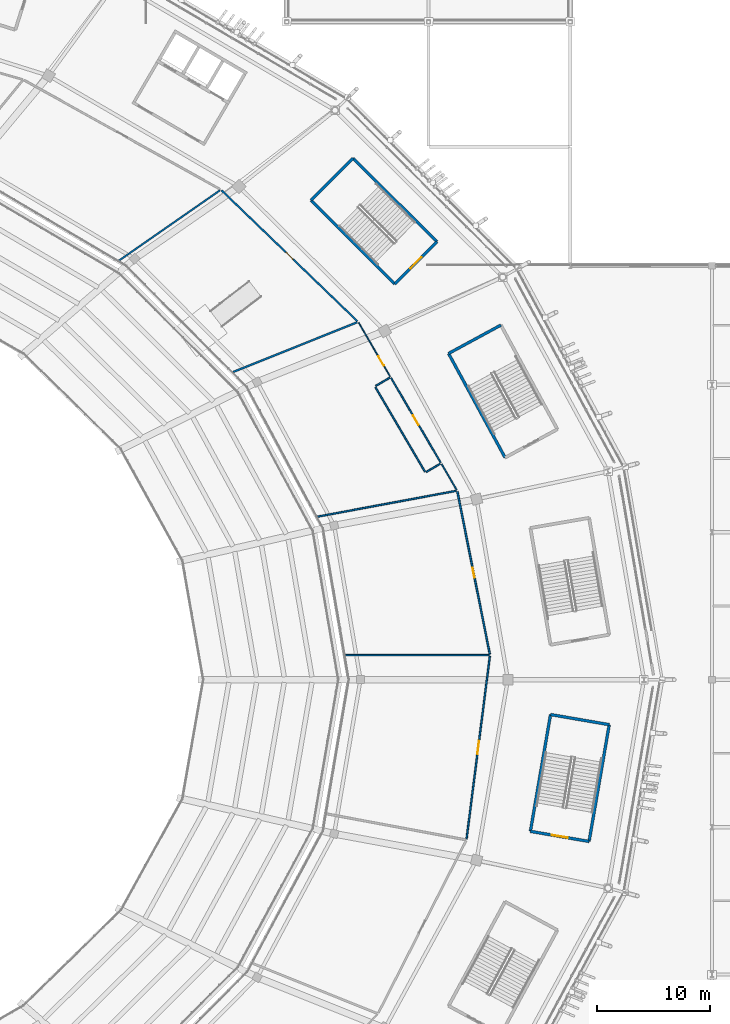
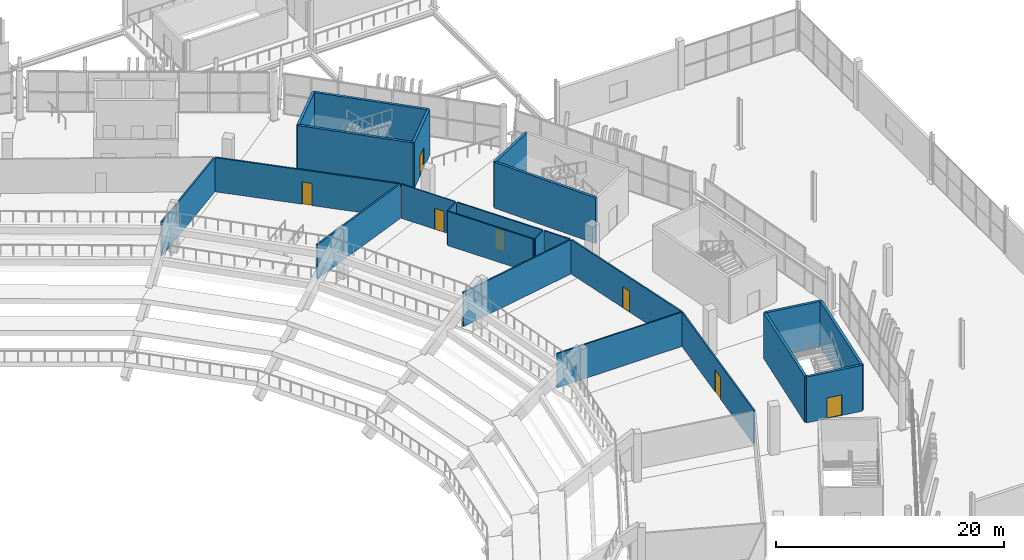
# One storey, part 128 of 178: 23 walls, 7 doors, 7 openings.
"""IFC4 building model written with IfcOpenShell, lengths in metres."""

from ifc_helpers import new_model, si_unit, direction, frame, frame_2d, origin, place, context, subcontext, project, spatial, rectangle, extrude, material, layer, layer_set, type_object, element, fill, save


model = new_model("IFC4")

# Units and contexts
model_context = context("Model", 3, precision=1e-05, world=origin(), true_north=direction((0.0, 1.0)))
body_context = subcontext(model_context, "Body", "Model", "MODEL_VIEW")
ifc_project = project(units=[si_unit("LENGTHUNIT", "METRE"), si_unit("AREAUNIT", "SQUARE_METRE"), si_unit("VOLUMEUNIT", "CUBIC_METRE"), si_unit("PLANEANGLEUNIT", "RADIAN"), si_unit("MASSUNIT", "GRAM", prefix="KILO")], contexts=[model_context])

# Site, building, storey
site_placement = place(None, origin())
site = spatial("IfcSite", under=ifc_project, at=site_placement, CompositionType="ELEMENT")
building_placement = place(site_placement, origin())
building = spatial("IfcBuilding", under=site, at=building_placement, Name="Zlatoyarsky Gate Stadium", CompositionType="ELEMENT")
storey_placement = place(building_placement, frame((0.0, 0.0, 5.39990234375)))
storey = spatial("IfcBuildingStorey", under=building, at=storey_placement, Name="L01", CompositionType="ELEMENT", Elevation=5.39990234375)

# Walls
ifc_material_1 = material(Name="Double-stud acoustic gypsum partition", Category="gypsum")
ifc_layer_1 = layer(ifc_material_1, 0.169921875)
ifc_layer_set_1 = layer_set([ifc_layer_1], Name="Double-stud acoustic gypsum partition")
wall_type_1 = type_object("IfcWallType", Name="ACOUSTIC BROADCAST STUDIO WALL 170", PredefinedType="PARTITIONING", material=ifc_layer_set_1)
wall_1_placement = place(storey_placement, frame((167.779541015625, 107.132080078125, 0.0), z_axis=(0.0, 0.0, 1.0), x_axis=(0.928096054847, 0.372340855907, 0.0)))
element("IfcWall", 1, at=wall_1_placement, inside=storey, type_object=wall_type_1, Name="L01 interior partition PRT-L01-IRD-02", PredefinedType="PARTITIONING", context=body_context, shape_type="SweptSolid", body=[
    extrude(rectangle(XDim=11.781494140625, YDim=0.169921875, at=frame_2d((5.890625, 0.0))), origin(), (0.0, 0.0, 1.0), 3.670166015625),
])
ifc_material_2 = material(Name="Anodised aluminium acoustic operable wall", Category="aluminium")
ifc_layer_2 = layer(ifc_material_2, 0.114990234375)
ifc_layer_set_2 = layer_set([ifc_layer_2], Name="Anodised aluminium acoustic operable wall")
wall_type_2 = type_object("IfcWallType", Name="ACOUSTIC OPERABLE SUITE WALL 115", PredefinedType="MOVABLE", material=ifc_layer_set_2)
wall_2_placement = place(storey_placement, frame((187.486572265625, 96.7412109375, 0.0), z_axis=(0.0, 0.0, 1.0), x_axis=(-0.506281615283, 0.862368207917, 0.0)))
element("IfcWall", 2, at=wall_2_placement, inside=storey, type_object=wall_type_2, Name="L01 interior partition PRT-L01-WCL-01", PredefinedType="MOVABLE", context=body_context, shape_type="SweptSolid", body=[
    extrude(rectangle(XDim=2.630126953125, YDim=0.114990234375, at=frame_2d((1.31494140625, 0.0))), origin(), (0.0, 0.0, 1.0), 3.670166015625),
])
ifc_material_3 = material(Name="Moisture-resistant masonry partition", Category="masonry")
ifc_layer_3 = layer(ifc_material_3, 0.139892578125)
ifc_layer_set_3 = layer_set([ifc_layer_3], Name="Moisture-resistant masonry partition")
wall_type_3 = type_object("IfcWallType", Name="ATHLETE CHANGING BLOCK PARTITION 140", PredefinedType="PARTITIONING", material=ifc_layer_set_3)
wall_3_placement = place(storey_placement, frame((175.236572265625, 94.37841796875, 0.0), z_axis=(0.0, 0.0, 1.0), x_axis=(0.983098219406, 0.183078920141, 0.0)))
element("IfcWall", 3, at=wall_3_placement, inside=storey, type_object=wall_type_3, Name="L01 interior partition PRT-L01-IRD-01", PredefinedType="PARTITIONING", context=body_context, shape_type="SweptSolid", body=[
    extrude(rectangle(XDim=12.419189453125, YDim=0.139892578125, at=frame_2d((6.20947265625, 0.0))), origin(), (0.0, 0.0, 1.0), 3.670166015625),
])

# Wall, opening, door
wall_4_placement = place(storey_placement, frame((188.356689453125, 65.952880859375, 0.0), z_axis=(0.0, 0.0, 1.0), x_axis=(0.126447690865, 0.991973276593, 0.0)))
wall_4 = element("IfcWall", 4, at=wall_4_placement, inside=storey, type_object=wall_type_3, Name="L01 interior partition PRT-L01-ICC-23", PredefinedType="PARTITIONING", context=body_context, shape_type="SweptSolid", body=[
    extrude(rectangle(XDim=16.260986328125, YDim=0.139892578125, at=frame_2d((8.13037109375, 0.0))), origin(), (0.0, 0.0, 1.0), 3.670166015625),
])
opening_1_placement = place(wall_4_placement, frame((7.550537109375, 0.0, 0.0)))
opening_1 = element("IfcOpeningElement", 5, at=opening_1_placement, cuts=wall_4, Name="Opening D-L01-273", PredefinedType="OPENING", context=body_context, shape_type="SweptSolid", body=[
    extrude(rectangle(XDim=1.159912109375, YDim=2.3798828125, at=frame_2d((0.580078125, 1.18994140625))), frame((0.0, 0.079833984375, 0.0), z_axis=(0.0, -1.0, 0.0), x_axis=(1.0, 0.0, 0.0)), (0.0, 0.0, 1.0), 0.159912109375),
])
ifc_material_4 = material(Name="Powder-coated steel fire door", Category="steel")
door_type_1 = type_object("IfcDoorType", Name="ACOUSTIC INTERIOR DOOR 1160X2380", OperationType="NOTDEFINED", PredefinedType="DOOR", material=ifc_material_4)
door_1_placement = place(opening_1_placement, origin())
door_1 = element("IfcDoor", 6, at=door_1_placement, inside=storey, type_object=door_type_1, Name="L01 room door D-L01-273", OperationType="SINGLE_SWING_RIGHT", OverallHeight=2.3798828125, OverallWidth=1.159912109375, PredefinedType="DOOR", context=body_context, shape_type="SweptSolid", body=[
    extrude(rectangle(XDim=1.159912109375, YDim=2.3798828125, at=frame_2d((0.580078125, 1.18994140625))), frame((0.0, 0.02490234375, 0.0), z_axis=(0.0, -1.0, 0.0), x_axis=(1.0, 0.0, 0.0)), (0.0, 0.0, 1.0), 0.050048828125),
])
fill(opening_1, door_1)

ifc_material_5 = material(Name="Metal-stud gypsum partition", Category="gypsum")
ifc_layer_4 = layer(ifc_material_5, 0.14990234375)
ifc_layer_set_4 = layer_set([ifc_layer_4], Name="Metal-stud gypsum partition")
wall_type_4 = type_object("IfcWallType", Name="CONCOURSE CORRIDOR PARTITION 150", PredefinedType="PARTITIONING", material=ifc_layer_set_4)
wall_5_placement = place(storey_placement, frame((190.406982421875, 82.2509765625, 0.0), z_axis=(0.0, 0.0, 1.0), x_axis=(-0.195730656485, 0.980657692629, 0.0)))
wall_5 = element("IfcWall", 7, at=wall_5_placement, inside=storey, type_object=wall_type_4, Name="L01 vomitory portal wall PRT-L01-ICC-00", PredefinedType="PARTITIONING", context=body_context, shape_type="SweptSolid", body=[
    extrude(rectangle(XDim=14.6162109375, YDim=0.14990234375, at=frame_2d((7.30810546875, 0.0))), origin(), (0.0, 0.0, 1.0), 3.670166015625),
])
opening_2_placement = place(wall_5_placement, frame((6.858154296875, 0.0, 0.0)))
opening_2 = element("IfcOpeningElement", 8, at=opening_2_placement, cuts=wall_5, Name="Opening D-L01-212", PredefinedType="OPENING", context=body_context, shape_type="SweptSolid", body=[
    extrude(rectangle(XDim=0.89990234375, YDim=2.239990234375, at=frame_2d((0.449951171875, 1.1201171875))), frame((0.0, 0.0849609375, 0.0), z_axis=(0.0, -1.0, 0.0), x_axis=(1.0, 0.0, 0.0)), (0.0, 0.0, 1.0), 0.169921875),
])
door_type_2 = type_object("IfcDoorType", Name="ACOUSTIC INTERIOR DOOR 900X2240", OperationType="NOTDEFINED", PredefinedType="DOOR", material=ifc_material_4)
door_2_placement = place(opening_2_placement, origin())
door_2 = element("IfcDoor", 9, at=door_2_placement, inside=storey, type_object=door_type_2, Name="L01 vomitory portal door D-L01-212", OperationType="SINGLE_SWING_RIGHT", OverallHeight=2.239990234375, OverallWidth=0.89990234375, PredefinedType="DOOR", context=body_context, shape_type="SweptSolid", body=[
    extrude(rectangle(XDim=0.89990234375, YDim=2.239990234375, at=frame_2d((0.449951171875, 1.1201171875))), frame((0.0, 0.02490234375, 0.0), z_axis=(0.0, -1.0, 0.0), x_axis=(1.0, 0.0, 0.0)), (0.0, 0.0, 1.0), 0.050048828125),
])
fill(opening_2, door_2)

# Wall
wall_6_placement = place(storey_placement, frame((157.699951171875, 116.95361328125, 0.0), z_axis=(0.0, 0.0, 1.0), x_axis=(0.820978910048, 0.570958517982, 0.0)))
element("IfcWall", 10, at=wall_6_placement, inside=storey, type_object=wall_type_4, Name="L01 interior partition PRT-L01-IRD-03", PredefinedType="PARTITIONING", context=body_context, shape_type="SweptSolid", body=[
    extrude(rectangle(XDim=10.8681640625, YDim=0.14990234375, at=frame_2d((5.43408203125, 0.0))), origin(), (0.0, 0.0, 1.0), 3.670166015625),
])

# Wall, opening, door
ifc_material_6 = material(Name="Concrete C40/50", Category="concrete")
ifc_layer_5 = layer(ifc_material_6, 0.25)
ifc_layer_set_5 = layer_set([ifc_layer_5], Name="Concrete C40/50")
wall_type_5 = type_object("IfcWallType", Name="CONCRETE STAIR CORE SHEAR WALL 250", PredefinedType="SHEAR", material=ifc_layer_set_5)
wall_7_placement = place(storey_placement, frame((182.038818359375, 114.89794921875, 0.0), z_axis=(0.0, 0.0, 1.0), x_axis=(0.705314141126, 0.708894888067, 0.0)))
wall_7 = element("IfcWall", 11, at=wall_7_placement, inside=storey, type_object=wall_type_5, Name="ST-02 L01 stair core entrance shear wall", PredefinedType="SHEAR", context=body_context, shape_type="SweptSolid", body=[
    extrude(rectangle(XDim=5.25, YDim=0.25, at=frame_2d((2.625, 0.0))), origin(), (0.0, 0.0, 1.0), 4.920166015625),
])
opening_3_placement = place(wall_7_placement, frame((1.925048828125, 0.0, 0.0)))
opening_3 = element("IfcOpeningElement", 12, at=opening_3_placement, cuts=wall_7, Name="Opening SD-ST-02-L01", PredefinedType="OPENING", context=body_context, shape_type="SweptSolid", body=[
    extrude(rectangle(XDim=1.39990234375, YDim=2.199951171875, at=frame_2d((0.699951171875, 1.10009765625))), frame((0.0, 0.135009765625, 0.0), z_axis=(0.0, -1.0, 0.0), x_axis=(1.0, 0.0, 0.0)), (0.0, 0.0, 1.0), 0.27001953125),
])
door_type_3 = type_object("IfcDoorType", Name="STAIR CORE FIRE EXIT DOOR 1400X2200", OperationType="NOTDEFINED", PredefinedType="DOOR", material=ifc_material_4)
door_3_placement = place(opening_3_placement, frame((1.39990234375, 0.0, 0.0), z_axis=(0.0, 0.0, 1.0), x_axis=(-1.0, 0.0, 0.0)))
door_3 = element("IfcDoor", 13, at=door_3_placement, inside=storey, type_object=door_type_3, Name="ST-02 L01 stair fire door", OperationType="SINGLE_SWING_LEFT", OverallHeight=2.199951171875, OverallWidth=1.39990234375, PredefinedType="DOOR", context=body_context, shape_type="SweptSolid", body=[
    extrude(rectangle(XDim=1.39990234375, YDim=2.199951171875, at=frame_2d((0.699951171875, 1.10009765625))), frame((0.0, 0.02490234375, 0.0), z_axis=(0.0, -1.0, 0.0), x_axis=(1.0, 0.0, 0.0)), (0.0, 0.0, 1.0), 0.050048828125),
])
fill(opening_3, door_3)

# Walls
wall_8_placement = place(storey_placement, frame((185.74169921875, 118.61962890625, 0.0), z_axis=(0.0, 0.0, 1.0), x_axis=(-0.708891762409, 0.705317282639, 0.0)))
element("IfcWall", 14, at=wall_8_placement, inside=storey, type_object=wall_type_5, Name="ST-02 L01 stair core left shear wall", PredefinedType="SHEAR", context=body_context, shape_type="SweptSolid", body=[
    extrude(rectangle(XDim=10.449951171875, YDim=0.25, at=frame_2d((5.22509765625, 0.0))), origin(), (0.0, 0.0, 1.0), 4.920166015625),
])
wall_9_placement = place(storey_placement, frame((178.333740234375, 125.990234375, 0.0), z_axis=(0.0, 0.0, 1.0), x_axis=(-0.705314141126, -0.708894888067, 0.0)))
element("IfcWall", 15, at=wall_9_placement, inside=storey, type_object=wall_type_5, Name="ST-02 L01 stair core far shear wall", PredefinedType="SHEAR", context=body_context, shape_type="SweptSolid", body=[
    extrude(rectangle(XDim=5.25, YDim=0.25, at=frame_2d((2.625, 0.0))), origin(), (0.0, 0.0, 1.0), 4.920166015625),
])
wall_10_placement = place(storey_placement, frame((174.630859375, 122.2685546875, 0.0), z_axis=(0.0, 0.0, 1.0), x_axis=(0.708891762409, -0.705317282639, 0.0)))
element("IfcWall", 16, at=wall_10_placement, inside=storey, type_object=wall_type_5, Name="ST-02 L01 stair core right shear wall", PredefinedType="SHEAR", context=body_context, shape_type="SweptSolid", body=[
    extrude(rectangle(XDim=10.449951171875, YDim=0.25, at=frame_2d((5.22509765625, 0.0))), origin(), (0.0, 0.0, 1.0), 4.920166015625),
])
wall_11_placement = place(storey_placement, frame((191.384765625, 111.268798828125, 0.0), z_axis=(0.0, 0.0, 1.0), x_axis=(-0.878961487093, -0.47689275965, 0.0)))
element("IfcWall", 17, at=wall_11_placement, inside=storey, type_object=wall_type_5, Name="ST-13 L01 stair core far shear wall", PredefinedType="SHEAR", context=body_context, shape_type="SweptSolid", body=[
    extrude(rectangle(XDim=5.25, YDim=0.25, at=frame_2d((2.625, 0.0))), origin(), (0.0, 0.0, 1.0), 4.920166015625),
])
wall_12_placement = place(storey_placement, frame((186.770263671875, 108.76513671875, 0.0), z_axis=(0.0, 0.0, 1.0), x_axis=(0.476876856974, -0.878970115125, 0.0)))
element("IfcWall", 18, at=wall_12_placement, inside=storey, type_object=wall_type_5, Name="ST-13 L01 stair core right shear wall", PredefinedType="SHEAR", context=body_context, shape_type="SweptSolid", body=[
    extrude(rectangle(XDim=10.4501953125, YDim=0.25, at=frame_2d((5.22509765625, 0.0))), origin(), (0.0, 0.0, 1.0), 4.920166015625),
])

# Wall, opening, door
wall_13_placement = place(storey_placement, frame((193.98681640625, 66.625244140625, 0.0), z_axis=(0.0, 0.0, 1.0), x_axis=(0.985457162135, -0.16992404655, 0.0)))
wall_13 = element("IfcWall", 19, at=wall_13_placement, inside=storey, type_object=wall_type_5, Name="ST-20 L01 stair core entrance shear wall", PredefinedType="SHEAR", context=body_context, shape_type="SweptSolid", body=[
    extrude(rectangle(XDim=5.25, YDim=0.25, at=frame_2d((2.625, 0.0))), origin(), (0.0, 0.0, 1.0), 4.920166015625),
])
opening_4_placement = place(wall_13_placement, frame((1.925048828125, 0.0, 0.0)))
opening_4 = element("IfcOpeningElement", 20, at=opening_4_placement, cuts=wall_13, Name="Opening SD-ST-20-L01", PredefinedType="OPENING", context=body_context, shape_type="SweptSolid", body=[
    extrude(rectangle(XDim=1.39990234375, YDim=2.199951171875, at=frame_2d((0.699951171875, 1.10009765625))), frame((0.0, 0.135009765625, 0.0), z_axis=(0.0, -1.0, 0.0), x_axis=(1.0, 0.0, 0.0)), (0.0, 0.0, 1.0), 0.27001953125),
])
door_4_placement = place(opening_4_placement, frame((1.39990234375, 0.0, 0.0), z_axis=(0.0, 0.0, 1.0), x_axis=(-1.0, 0.0, 0.0)))
door_4 = element("IfcDoor", 21, at=door_4_placement, inside=storey, type_object=door_type_3, Name="ST-20 L01 stair fire door", OperationType="SINGLE_SWING_LEFT", OverallHeight=2.199951171875, OverallWidth=1.39990234375, PredefinedType="DOOR", context=body_context, shape_type="SweptSolid", body=[
    extrude(rectangle(XDim=1.39990234375, YDim=2.199951171875, at=frame_2d((0.699951171875, 1.10009765625))), frame((0.0, 0.02490234375, 0.0), z_axis=(0.0, -1.0, 0.0), x_axis=(1.0, 0.0, 0.0)), (0.0, 0.0, 1.0), 0.050048828125),
])
fill(opening_4, door_4)

# Walls
wall_14_placement = place(storey_placement, frame((199.160400390625, 65.733154296875, 0.0), z_axis=(0.0, 0.0, 1.0), x_axis=(0.169938992676, 0.985454584833, 0.0)))
element("IfcWall", 22, at=wall_14_placement, inside=storey, type_object=wall_type_5, Name="ST-20 L01 stair core left shear wall", PredefinedType="SHEAR", context=body_context, shape_type="SweptSolid", body=[
    extrude(rectangle(XDim=10.4501953125, YDim=0.25, at=frame_2d((5.22509765625, 0.0))), origin(), (0.0, 0.0, 1.0), 4.920166015625),
])
wall_15_placement = place(storey_placement, frame((200.936279296875, 76.03125, 0.0), z_axis=(0.0, 0.0, 1.0), x_axis=(-0.985458504796, 0.169916259745, 0.0)))
element("IfcWall", 23, at=wall_15_placement, inside=storey, type_object=wall_type_5, Name="ST-20 L01 stair core far shear wall", PredefinedType="SHEAR", context=body_context, shape_type="SweptSolid", body=[
    extrude(rectangle(XDim=5.250244140625, YDim=0.25, at=frame_2d((2.625, 0.0))), origin(), (0.0, 0.0, 1.0), 4.920166015625),
])
wall_16_placement = place(storey_placement, frame((195.762451171875, 76.92333984375, 0.0), z_axis=(0.0, 0.0, 1.0), x_axis=(-0.16991630471, -0.985458497043, 0.0)))
element("IfcWall", 24, at=wall_16_placement, inside=storey, type_object=wall_type_5, Name="ST-20 L01 stair core right shear wall", PredefinedType="SHEAR", context=body_context, shape_type="SweptSolid", body=[
    extrude(rectangle(XDim=10.449951171875, YDim=0.25, at=frame_2d((5.22509765625, 0.0))), origin(), (0.0, 0.0, 1.0), 4.920166015625),
])

# Wall, opening, door
ifc_material_7 = material(Name="Timber-veneered acoustic operable partition", Category="wood")
ifc_layer_6 = layer(ifc_material_7, 0.094970703125)
ifc_layer_set_6 = layer_set([ifc_layer_6], Name="Timber-veneered acoustic operable partition")
wall_type_6 = type_object("IfcWallType", Name="FOLDING BANQUET SALON WALL 95", PredefinedType="MOVABLE", material=ifc_layer_set_6)
wall_17_placement = place(storey_placement, frame((181.614013671875, 106.74462890625, 0.0), z_axis=(0.0, 0.0, 1.0), x_axis=(-0.506281130934, 0.86236849227, 0.0)))
wall_17 = element("IfcWall", 25, at=wall_17_placement, inside=storey, type_object=wall_type_6, Name="L01 interior partition PRT-L01-ICC-01", PredefinedType="MOVABLE", context=body_context, shape_type="SweptSolid", body=[
    extrude(rectangle(XDim=5.48779296875, YDim=0.094970703125, at=frame_2d((2.743896484375, 0.0))), origin(), (0.0, 0.0, 1.0), 3.670166015625),
])
opening_5_placement = place(wall_17_placement, frame((1.10009765625, 0.0, 0.0)))
opening_5 = element("IfcOpeningElement", 26, at=opening_5_placement, cuts=wall_17, Name="Opening D-L01-219", PredefinedType="OPENING", context=body_context, shape_type="SweptSolid", body=[
    extrude(rectangle(XDim=0.9599609375, YDim=2.239990234375, at=frame_2d((0.47998046875, 1.1201171875))), frame((0.0, 0.057373046875, 0.0), z_axis=(0.0, -1.0, 0.0), x_axis=(1.0, 0.0, 0.0)), (0.0, 0.0, 1.0), 0.114990234375),
])
ifc_material_8 = material(Name="Solid-core oak veneer acoustic door", Category="wood")
door_type_4 = type_object("IfcDoorType", Name="ACOUSTIC INTERIOR DOOR 960X2240", OperationType="NOTDEFINED", PredefinedType="DOOR", material=ifc_material_8)
door_5_placement = place(opening_5_placement, origin())
door_5 = element("IfcDoor", 27, at=door_5_placement, inside=storey, type_object=door_type_4, Name="L01 room door D-L01-219", OperationType="SINGLE_SWING_RIGHT", OverallHeight=2.239990234375, OverallWidth=0.9599609375, PredefinedType="DOOR", context=body_context, shape_type="SweptSolid", body=[
    extrude(rectangle(XDim=0.9599609375, YDim=2.239990234375, at=frame_2d((0.47998046875, 1.1201171875))), frame((0.0, 0.02490234375, 0.0), z_axis=(0.0, -1.0, 0.0), x_axis=(1.0, 0.0, 0.0)), (0.0, 0.0, 1.0), 0.050048828125),
])
fill(opening_5, door_5)

ifc_material_9 = material(Name="Acoustic metal-stud gypsum partition", Category="gypsum")
ifc_layer_7 = layer(ifc_material_9, 0.159912109375)
ifc_layer_set_7 = layer_set([ifc_layer_7], Name="Acoustic metal-stud gypsum partition")
wall_type_7 = type_object("IfcWallType", Name="HOSPITALITY SUITE PARTITION 160", PredefinedType="PARTITIONING", material=ifc_layer_set_7)
wall_18_placement = place(storey_placement, frame((178.731689453125, 111.609375, 0.0), z_axis=(0.0, 0.0, 1.0), x_axis=(-0.720180032826, 0.693787229862, 0.0)))
wall_18 = element("IfcWall", 28, at=wall_18_placement, inside=storey, type_object=wall_type_7, Name="L01 vomitory portal wall PRT-L01-ICC-02", PredefinedType="PARTITIONING", context=body_context, shape_type="SweptSolid", body=[
    extrude(rectangle(XDim=16.632080078125, YDim=0.159912109375, at=frame_2d((8.31591796875, 0.0))), origin(), (0.0, 0.0, 1.0), 3.670166015625),
])
opening_6_placement = place(wall_18_placement, frame((7.865966796875, 0.0, 0.0)))
opening_6 = element("IfcOpeningElement", 29, at=opening_6_placement, cuts=wall_18, Name="Opening D-L01-221", PredefinedType="OPENING", context=body_context, shape_type="SweptSolid", body=[
    extrude(rectangle(XDim=0.89990234375, YDim=2.3798828125, at=frame_2d((0.449951171875, 1.18994140625))), frame((0.0, 0.08984375, 0.0), z_axis=(0.0, -1.0, 0.0), x_axis=(1.0, 0.0, 0.0)), (0.0, 0.0, 1.0), 0.179931640625),
])
door_type_5 = type_object("IfcDoorType", Name="ACOUSTIC INTERIOR DOOR 900X2380", OperationType="NOTDEFINED", PredefinedType="DOOR", material=ifc_material_4)
door_6_placement = place(opening_6_placement, origin())
door_6 = element("IfcDoor", 30, at=door_6_placement, inside=storey, type_object=door_type_5, Name="L01 vomitory portal door D-L01-221", OperationType="SINGLE_SWING_LEFT", OverallHeight=2.3798828125, OverallWidth=0.89990234375, PredefinedType="DOOR", context=body_context, shape_type="SweptSolid", body=[
    extrude(rectangle(XDim=0.89990234375, YDim=2.3798828125, at=frame_2d((0.449951171875, 1.18994140625))), frame((0.0, 0.02490234375, 0.0), z_axis=(0.0, -1.0, 0.0), x_axis=(1.0, 0.0, 0.0)), (0.0, 0.0, 1.0), 0.050048828125),
])
fill(opening_6, door_6)

ifc_material_10 = material(Name="Moisture-resistant tile-backed partition", Category="gypsum")
ifc_layer_8 = layer(ifc_material_10, 0.1298828125)
ifc_layer_set_8 = layer_set([ifc_layer_8], Name="Moisture-resistant tile-backed partition")
wall_type_8 = type_object("IfcWallType", Name="SANITARY WET ROOM PARTITION 130", PredefinedType="PARTITIONING", material=ifc_layer_set_8)
wall_19_placement = place(storey_placement, frame((186.069091796875, 99.15576171875, 0.0), z_axis=(0.0, 0.0, 1.0), x_axis=(-0.506268263049, 0.862376046646, 0.0)))
wall_19 = element("IfcWall", 31, at=wall_19_placement, inside=storey, type_object=wall_type_8, Name="L01 interior partition PRT-L01-WC01-F", PredefinedType="PARTITIONING", context=body_context, shape_type="SweptSolid", body=[
    extrude(rectangle(XDim=8.630126953125, YDim=0.1298828125, at=frame_2d((4.31494140625, 0.0))), origin(), (0.0, 0.0, 1.0), 3.670166015625),
])
opening_7_placement = place(wall_19_placement, frame((3.8349609375, 0.0, 0.0)))
opening_7 = element("IfcOpeningElement", 32, at=opening_7_placement, cuts=wall_19, Name="Opening D-L01-214", PredefinedType="OPENING", context=body_context, shape_type="SweptSolid", body=[
    extrude(rectangle(XDim=0.9599609375, YDim=2.239990234375, at=frame_2d((0.47998046875, 1.1201171875))), frame((0.0, 0.074951171875, 0.0), z_axis=(0.0, -1.0, 0.0), x_axis=(1.0, 0.0, 0.0)), (0.0, 0.0, 1.0), 0.14990234375),
])
door_7_placement = place(opening_7_placement, origin())
door_7 = element("IfcDoor", 33, at=door_7_placement, inside=storey, type_object=door_type_4, Name="L01 room door D-L01-214", OperationType="SINGLE_SWING_LEFT", OverallHeight=2.239990234375, OverallWidth=0.9599609375, PredefinedType="DOOR", context=body_context, shape_type="SweptSolid", body=[
    extrude(rectangle(XDim=0.9599609375, YDim=2.239990234375, at=frame_2d((0.47998046875, 1.1201171875))), frame((0.0, 0.02490234375, 0.0), z_axis=(0.0, -1.0, 0.0), x_axis=(1.0, 0.0, 0.0)), (0.0, 0.0, 1.0), 0.050048828125),
])
fill(opening_7, door_7)

# Walls
wall_20_placement = place(storey_placement, frame((184.689208984375, 98.345703125, 0.0), z_axis=(0.0, 0.0, 1.0), x_axis=(-0.506268263049, 0.862376046646, 0.0)))
element("IfcWall", 34, at=wall_20_placement, inside=storey, type_object=wall_type_8, Name="L01 interior partition PRT-L01-WC01-B", PredefinedType="PARTITIONING", context=body_context, shape_type="SweptSolid", body=[
    extrude(rectangle(XDim=8.630126953125, YDim=0.1298828125, at=frame_2d((4.31494140625, 0.0))), origin(), (0.0, 0.0, 1.0), 3.670166015625),
])
wall_21_placement = place(storey_placement, frame((186.038818359375, 99.03955078125, 0.0), z_axis=(0.0, 0.0, 1.0), x_axis=(-0.862363940047, -0.506288884834, 0.0)))
element("IfcWall", 35, at=wall_21_placement, inside=storey, type_object=wall_type_8, Name="L01 interior partition PRT-L01-WC01-L", PredefinedType="PARTITIONING", context=body_context, shape_type="SweptSolid", body=[
    extrude(rectangle(XDim=1.43017578125, YDim=0.1298828125, at=frame_2d((0.715087890625, 0.0))), origin(), (0.0, 0.0, 1.0), 3.670166015625),
])
wall_22_placement = place(storey_placement, frame((181.58349609375, 106.62841796875, 0.0), z_axis=(0.0, 0.0, 1.0), x_axis=(-0.862320175753, -0.506363421359, 0.0)))
element("IfcWall", 36, at=wall_22_placement, inside=storey, type_object=wall_type_8, Name="L01 interior partition PRT-L01-WC01-R", PredefinedType="PARTITIONING", context=body_context, shape_type="SweptSolid", body=[
    extrude(rectangle(XDim=1.429931640625, YDim=0.1298828125, at=frame_2d((0.71484375, 0.0))), origin(), (0.0, 0.0, 1.0), 3.670166015625),
])
wall_23_placement = place(storey_placement, frame((177.6943359375, 82.16845703125, 0.0), z_axis=(0.0, 0.0, 1.0), x_axis=(0.999999997017, -7.7233496e-05, 0.0)))
element("IfcWall", 37, at=wall_23_placement, inside=storey, type_object=wall_type_8, Name="L01 interior partition PRT-L01-IRD-00", PredefinedType="PARTITIONING", context=body_context, shape_type="SweptSolid", body=[
    extrude(rectangle(XDim=12.644287109375, YDim=0.1298828125, at=frame_2d((6.322265625, 0.0))), origin(), (0.0, 0.0, 1.0), 3.670166015625),
])

save(model, "model.ifc")
